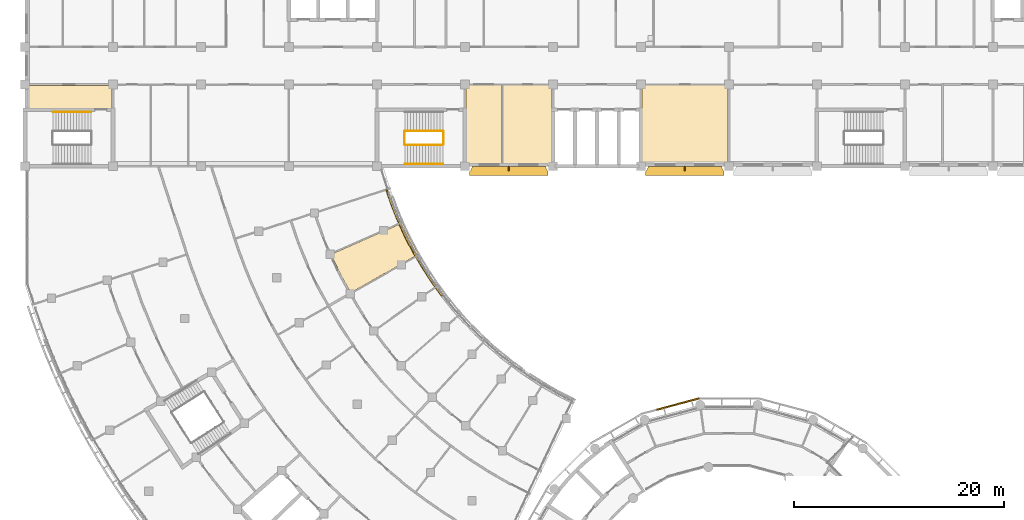
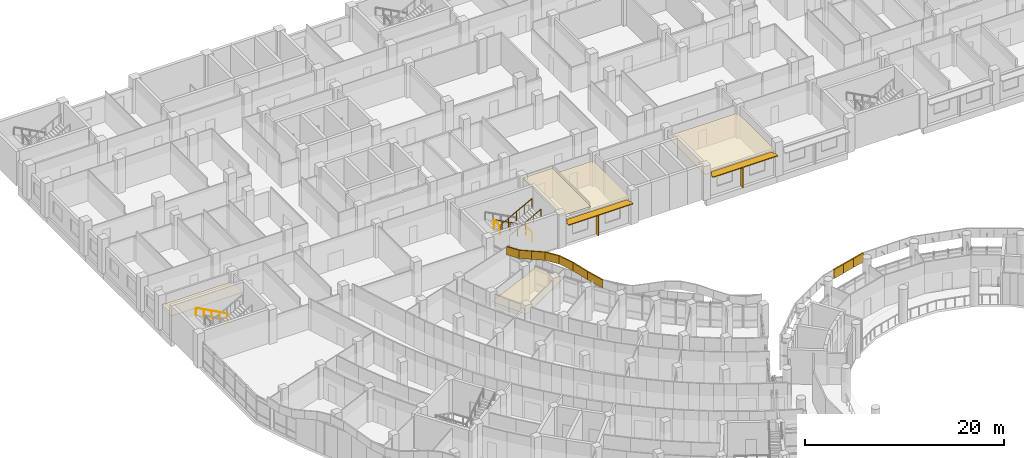
# One storey, part 100 of 109: 15 coverings, 6 railings, 4 shading devices.
"""IFC4 building model written with IfcOpenShell, lengths in metres."""

from ifc_helpers import new_model, si_unit, direction, frame, origin, origin_2d, place, context, subcontext, project, spatial, polyline, rectangle, circle, outline, extrude, material, layer, layer_set, material_profile, profile_set, type_object, element, save


model = new_model("IFC4")

# Units and contexts
model_context = context("Model", 3, precision=1e-05, world=origin(), true_north=direction((0.0, 1.0)))
body_context = subcontext(model_context, "Body", "Model", "MODEL_VIEW")
ifc_project = project(units=[si_unit("LENGTHUNIT", "METRE"), si_unit("AREAUNIT", "SQUARE_METRE"), si_unit("VOLUMEUNIT", "CUBIC_METRE"), si_unit("PLANEANGLEUNIT", "RADIAN"), si_unit("MASSUNIT", "GRAM", prefix="KILO")], contexts=[model_context])

# Site, building, storey
site_placement = place(None, origin())
site = spatial("IfcSite", under=ifc_project, at=site_placement, CompositionType="ELEMENT")
building_placement = place(site_placement, origin())
building = spatial("IfcBuilding", under=site, at=building_placement, Name="Bougainvillea Quay General Hospital", CompositionType="ELEMENT")
storey_placement = place(building_placement, frame((0.0, 0.0, 12.60009765625)))
storey = spatial("IfcBuildingStorey", under=building, at=storey_placement, Name="L02", CompositionType="ELEMENT", Elevation=12.60009765625)

# Coverings
ifc_material_1 = material(Name="Powder-coated aluminium fascia, white", Category="aluminium")
ifc_layer_1 = layer(ifc_material_1, 0.14990234375)
ifc_layer_set_1 = layer_set([ifc_layer_1], Name="Powder-coated aluminium fascia, white")
covering_type_1 = type_object("IfcCoveringType", Name="Aluminium fascia band white 150x1100", PredefinedType="CLADDING", material=ifc_layer_set_1)
covering_1_placement = place(storey_placement, frame((106.386474609375, 95.3701171875, 3.64990234375), z_axis=(0.0, 0.0, 1.0), x_axis=(-0.965902723626, -0.258905250026, 0.0)))
element("IfcCovering", 1, at=covering_1_placement, inside=storey, type_object=covering_type_1, Name="Fascia band white e1 27", PredefinedType="CLADDING", context=body_context, shape_type="SweptSolid", body=[
    extrude(outline(polyline([(0.0, 0.0), (1.4427484812010494, -1.1102230246251565e-16), (1.4427601315406933, -0.14988922115835282), (-0.019945216217249394, -0.14984782527068197), (0.0, 0.0)])), origin(), (0.0, 0.0, 1.0), 1.10009765625),
])
for number, where, z_axis, x_axis, name in (
    (2, (104.992919921875, 94.99658203125, 3.64990234375), (0.0, 0.0, 1.0), (-0.965917832393, -0.258848876884, 0.0), "Fascia band white e1 28"),
    (3, (103.669189453125, 94.641845703125, 3.64990234375), (0.0, 0.0, 1.0), (-0.965917832393, -0.258848876884, 0.0), "Fascia band white e1 29"),
):
    element("IfcCovering", number, at=place(storey_placement, frame(where, z_axis=z_axis, x_axis=x_axis)), inside=storey, type_object=covering_type_1, Name=name, PredefinedType="CLADDING", context=body_context, shape_type="SweptSolid", body=[
        extrude(outline(polyline([(0.0, 0.0), (1.3704379651734342, -5.551115123125783e-17), (1.3704583634542102, -0.1498892202231306), (2.039828077596978e-05, -0.14988922022313056), (0.0, 0.0)])), origin(), (0.0, 0.0, 1.0), 1.10009765625),
    ])
ifc_material_2 = material(Name="Powder-coated aluminium fascia, blue", Category="aluminium")
ifc_layer_2 = layer(ifc_material_2, 0.14990234375)
ifc_layer_set_2 = layer_set([ifc_layer_2], Name="Powder-coated aluminium fascia, blue")
covering_type_2 = type_object("IfcCoveringType", Name="Aluminium wave fascia ribbon blue 150x1000", PredefinedType="CLADDING", material=ifc_layer_set_2)
covering_2_placement = place(storey_placement, frame((81.860107421875, 105.287109375, 3.09423828125), z_axis=(0.183653057169, -0.255016849579, 0.949335536585), x_axis=(-0.555025616617, 0.770184740681, 0.314264267968)))
element("IfcCovering", 4, at=covering_2_placement, inside=storey, type_object=covering_type_2, Name="Fascia ribbon blue a11 11", PredefinedType="CLADDING", context=body_context, shape_type="SweptSolid", body=[
    extrude(outline(polyline([(0.0, 0.0), (1.7247307841035435, -3.529078071440317e-17), (1.7285675038174912, 0.14995005424449326), (-0.0037469013647892014, 0.15000855985817563), (0.0, 0.0)])), origin(), (0.314264267968, -9.4101974e-05, 0.949335536585), 1.0),
])
covering_3_placement = place(storey_placement, frame((80.90283203125, 106.615478515625, 3.637451171875), z_axis=(0.181670148123, -0.279283959055, 0.942866070816), x_axis=(-0.514117834442, 0.790366547752, 0.333171986372)))
element("IfcCovering", 5, at=covering_3_placement, inside=storey, type_object=covering_type_2, Name="Fascia ribbon blue a11 12", PredefinedType="CLADDING", context=body_context, shape_type="SweptSolid", body=[
    extrude(outline(polyline([(0.0, 0.0), (1.7366179833297002, 2.017971293538645e-17), (1.7403438359715682, 0.15003232823707713), (-0.003726882309509635, 0.14995282586362915), (0.0, 0.0)])), origin(), (0.333171986372, 1.143578e-06, 0.942866070816), 1.0),
])
covering_4_placement = place(storey_placement, frame((80.010009765625, 107.988037109375, 4.217041015625), z_axis=(0.084315394257, -0.145643109663, 0.985737794192), x_axis=(-0.497507055922, 0.850979570367, 0.168286957679)))
element("IfcCovering", 6, at=covering_4_placement, inside=storey, type_object=covering_type_2, Name="Fascia ribbon blue a11 13", PredefinedType="CLADDING", context=body_context, shape_type="SweptSolid", body=[
    extrude(outline(polyline([(0.0, 0.0), (1.661113687320958, -2.0930522939832663e-16), (1.6646301565670878, 0.1501106609532486), (-0.0037048515269207318, 0.15002967164766148), (0.0, 0.0)])), origin(), (0.168286957679, -0.000707796724, 0.985737794192), 1.0),
])
covering_5_placement = place(storey_placement, frame((79.18359375, 109.401611328125, 4.49658203125), z_axis=(-0.050233783004, 0.097976702211, 0.993920083744), x_axis=(-0.460077941588, 0.881025591225, -0.11010084137)))
element("IfcCovering", 7, at=covering_5_placement, inside=storey, type_object=covering_type_2, Name="Fascia ribbon blue a11 14", PredefinedType="CLADDING", context=body_context, shape_type="SweptSolid", body=[
    extrude(outline(polyline([(0.0, 0.0), (1.6471442798022051, 6.280241084122284e-17), (1.6508833397084792, 0.15008422778060926), (-0.0037216541243468484, 0.15010570735454873), (0.0, 0.0)])), origin(), (-0.11010084137, 0.000819671106, 0.993920083744), 1.0),
])
covering_6_placement = place(storey_placement, frame((78.42578125, 110.852783203125, 4.314453125), z_axis=(-0.130614571, 0.283040507255, 0.950172565956), x_axis=(-0.399120778908, 0.862282218901, -0.31172420312)))
element("IfcCovering", 8, at=covering_6_placement, inside=storey, type_object=covering_type_2, Name="Fascia ribbon blue a11 15", PredefinedType="CLADDING", context=body_context, shape_type="SweptSolid", body=[
    extrude(outline(polyline([(0.0, 0.0), (1.7231362464062916, 9.31871767251291e-17), (1.727107408249028, 0.14998113192261042), (-0.00364317196791447, 0.15009135398133572), (0.0, 0.0)])), origin(), (-0.31172420312, 0.000340725615, 0.950172565956), 1.0),
])
covering_7_placement = place(storey_placement, frame((77.738037109375, 112.338623046875, 3.776123046875), z_axis=(-0.126527102614, 0.309896225363, 0.942313759748), x_axis=(-0.354612538759, 0.873043810337, -0.33473041778)))
element("IfcCovering", 9, at=covering_7_placement, inside=storey, type_object=covering_type_2, Name="Fascia ribbon blue a11 16", PredefinedType="CLADDING", context=body_context, shape_type="SweptSolid", body=[
    extrude(outline(polyline([(0.0, 0.0), (1.7376621436556903, -1.2620113287731272e-16), (1.7414675737434822, 0.15009026875092688), (-0.003587614734153912, 0.14999075918187904), (0.0, 0.0)])), origin(), (-0.33473041778, -0.000570616549, 0.942313759748), 1.0),
])
covering_8_placement = place(storey_placement, frame((77.121826171875, 113.855712890625, 3.193603515625), z_axis=(-0.0583995247, 0.16450413074, 0.984646071685), x_axis=(-0.326506434861, 0.928935801687, -0.174561806643)))
element("IfcCovering", 10, at=covering_8_placement, inside=storey, type_object=covering_type_2, Name="Fascia ribbon blue a11 17", PredefinedType="CLADDING", context=body_context, shape_type="SweptSolid", body=[
    extrude(outline(polyline([(0.0, 0.0), (1.655501230633314, 6.261267546103788e-17), (1.6554696946653156, 0.1501049718360596), (-0.0036904121914381727, 0.15008680907599123), (0.0, 0.0)])), origin(), (-0.174561806643, -0.000537752048, 0.984646071685), 1.0),
])

# Railings
ifc_material_3 = material(Name="Stainless steel 304 balustrade", Category="steel")
railing_type_1 = type_object("IfcRailingType", Name="Stair guard 1100", PredefinedType="GUARDRAIL", material=ifc_material_3)
railing_1_placement = place(storey_placement, frame((81.89990234375, 120.949951171875, 0.14990234375)))
element("IfcRailing", 11, at=railing_1_placement, inside=storey, type_object=railing_type_1, Name="L02 ST-B2 stair guard 1", PredefinedType="GUARDRAIL", context=body_context, shape_type="SweptSolid", body=[
    extrude(circle(Radius=0.02392578125, at=origin_2d()), frame((0.0, 0.0, 1.076171875), z_axis=(-0.881479091078, 0.0, 0.472223053219), x_axis=(0.0, -1.0, 0.0)), (0.0, 0.0, 1.0), 4.12939453125),
    extrude(circle(Radius=0.02099609375, at=origin_2d()), origin(), (0.0, 0.0, 1.0), 1.052001953125),
    extrude(circle(Radius=0.02099609375, at=origin_2d()), frame((-0.909912109375, 0.0, 0.487548828125)), (0.0, 0.0, 1.0), 1.052001953125),
    extrude(circle(Radius=0.02099609375, at=origin_2d()), frame((-1.81982421875, 0.0, 0.97509765625)), (0.0, 0.0, 1.0), 1.052001953125),
    extrude(circle(Radius=0.02099609375, at=origin_2d()), frame((-2.72998046875, 0.0, 1.46240234375)), (0.0, 0.0, 1.0), 1.052001953125),
    extrude(circle(Radius=0.02099609375, at=origin_2d()), frame((-3.639892578125, 0.0, 1.949951171875)), (0.0, 0.0, 1.0), 1.052001953125),
])
railing_2_placement = place(storey_placement, frame((78.2099609375, 120.89990234375, 2.099853515625)))
element("IfcRailing", 12, at=railing_2_placement, inside=storey, type_object=railing_type_1, Name="L02 ST-B2 stair guard 2", PredefinedType="GUARDRAIL", context=body_context, shape_type="SweptSolid", body=[
    extrude(circle(Radius=0.02392578125, at=origin_2d()), frame((0.0, 0.0, 1.076171875), z_axis=(0.0, -1.0, 0.0), x_axis=(1.0, 0.0, 0.0)), (0.0, 0.0, 1.0), 1.199951171875),
    extrude(circle(Radius=0.02099609375, at=origin_2d()), origin(), (0.0, 0.0, 1.0), 1.052001953125),
    extrude(circle(Radius=0.02099609375, at=origin_2d()), frame((0.0, -1.199951171875, 0.0)), (0.0, 0.0, 1.0), 1.052001953125),
])
railing_3_placement = place(storey_placement, frame((78.260009765625, 119.64990234375, 2.25)))
element("IfcRailing", 13, at=railing_3_placement, inside=storey, type_object=railing_type_1, Name="L02 ST-B2 stair guard 3", PredefinedType="GUARDRAIL", context=body_context, shape_type="SweptSolid", body=[
    extrude(circle(Radius=0.02392578125, at=origin_2d()), frame((0.0, 0.0, 1.076171875), z_axis=(0.881479091078, 0.0, 0.472223053219), x_axis=(0.0, 1.0, 0.0)), (0.0, 0.0, 1.0), 4.12939453125),
    extrude(circle(Radius=0.02099609375, at=origin_2d()), origin(), (0.0, 0.0, 1.0), 1.052001953125),
    extrude(circle(Radius=0.02099609375, at=origin_2d()), frame((0.909912109375, 0.0, 0.487548828125)), (0.0, 0.0, 1.0), 1.052001953125),
    extrude(circle(Radius=0.02099609375, at=origin_2d()), frame((1.81982421875, 0.0, 0.97509765625)), (0.0, 0.0, 1.0), 1.052001953125),
    extrude(circle(Radius=0.02099609375, at=origin_2d()), frame((2.72998046875, 0.0, 1.46240234375)), (0.0, 0.0, 1.0), 1.052001953125),
    extrude(circle(Radius=0.02099609375, at=origin_2d()), frame((3.639892578125, 0.0, 1.949951171875)), (0.0, 0.0, 1.0), 1.052001953125),
])
railing_4_placement = place(storey_placement, frame((81.949951171875, 120.89990234375, 0.0)))
element("IfcRailing", 14, at=railing_4_placement, inside=storey, type_object=railing_type_1, Name="L02 ST-B2 stair guard 4", PredefinedType="GUARDRAIL", context=body_context, shape_type="SweptSolid", body=[
    extrude(circle(Radius=0.02392578125, at=origin_2d()), frame((0.0, 0.0, 1.076171875), z_axis=(0.0, -1.0, 0.0), x_axis=(1.0, 0.0, 0.0)), (0.0, 0.0, 1.0), 1.199951171875),
    extrude(circle(Radius=0.02099609375, at=origin_2d()), origin(), (0.0, 0.0, 1.0), 1.052001953125),
    extrude(circle(Radius=0.02099609375, at=origin_2d()), frame((0.0, -1.199951171875, 0.0)), (0.0, 0.0, 1.0), 1.052001953125),
])
ifc_material_4 = material(Name="Stainless steel 304 handrail", Category="steel")
railing_type_2 = type_object("IfcRailingType", Name="Stair handrail 900", PredefinedType="HANDRAIL", material=ifc_material_4)
railing_5_placement = place(storey_placement, frame((48.300048828125, 122.77490234375, 0.14990234375)))
element("IfcRailing", 15, at=railing_5_placement, inside=storey, type_object=railing_type_2, Name="L02 ST-B1 stair handrail 1", PredefinedType="HANDRAIL", context=body_context, shape_type="SweptSolid", body=[
    extrude(circle(Radius=0.02392578125, at=origin_2d()), frame((0.0, 0.0, 0.8759765625), z_axis=(-0.881492274372, 0.0, 0.472198443689), x_axis=(0.0, -1.0, 0.0)), (0.0, 0.0, 1.0), 4.12939453125),
    extrude(circle(Radius=0.02099609375, at=origin_2d()), origin(), (0.0, 0.0, 1.0), 0.851806640625),
    extrude(circle(Radius=0.02099609375, at=origin_2d()), frame((-0.91015625, 0.0, 0.487548828125)), (0.0, 0.0, 1.0), 0.851806640625),
    extrude(circle(Radius=0.02099609375, at=origin_2d()), frame((-1.820068359375, 0.0, 0.97509765625)), (0.0, 0.0, 1.0), 0.851806640625),
    extrude(circle(Radius=0.02099609375, at=origin_2d()), frame((-2.72998046875, 0.0, 1.46240234375)), (0.0, 0.0, 1.0), 0.851806640625),
    extrude(circle(Radius=0.02099609375, at=origin_2d()), frame((-3.64013671875, 0.0, 1.949951171875)), (0.0, 0.0, 1.0), 0.851806640625),
])
railing_6_placement = place(storey_placement, frame((78.260009765625, 117.824951171875, 2.25)))
element("IfcRailing", 16, at=railing_6_placement, inside=storey, type_object=railing_type_2, Name="L02 ST-B2 stair handrail 2", PredefinedType="HANDRAIL", context=body_context, shape_type="SweptSolid", body=[
    extrude(circle(Radius=0.02392578125, at=origin_2d()), frame((0.0, 0.0, 0.8759765625), z_axis=(0.881479091078, 0.0, 0.472223053219), x_axis=(0.0, 1.0, 0.0)), (0.0, 0.0, 1.0), 4.12939453125),
    extrude(circle(Radius=0.02099609375, at=origin_2d()), origin(), (0.0, 0.0, 1.0), 0.851806640625),
    extrude(circle(Radius=0.02099609375, at=origin_2d()), frame((0.909912109375, 0.0, 0.487548828125)), (0.0, 0.0, 1.0), 0.851806640625),
    extrude(circle(Radius=0.02099609375, at=origin_2d()), frame((1.81982421875, 0.0, 0.97509765625)), (0.0, 0.0, 1.0), 0.851806640625),
    extrude(circle(Radius=0.02099609375, at=origin_2d()), frame((2.72998046875, 0.0, 1.46240234375)), (0.0, 0.0, 1.0), 0.851806640625),
    extrude(circle(Radius=0.02099609375, at=origin_2d()), frame((3.639892578125, 0.0, 1.949951171875)), (0.0, 0.0, 1.0), 0.851806640625),
])

# Shading devices
ifc_material_5 = material(Name="Powder-coated aluminium canopy soffit and fascia, white", Category="aluminium")
ifc_layer_3 = layer(ifc_material_5, 0.10009765625)
ifc_layer_set_3 = layer_set([ifc_layer_3], Name="Powder-coated aluminium canopy soffit and fascia, white")
shading_device_type_1 = type_object("IfcShadingDeviceType", Name="Sunshade 100", PredefinedType="USERDEFINED", material=ifc_layer_set_3)
shading_device_1_placement = place(storey_placement, frame((0.0, 0.0, 2.849853515625)))
element("IfcShadingDevice", 17, at=shading_device_1_placement, inside=storey, type_object=shading_device_type_1, Name="Sunshade 0", ObjectType="Sunshade", PredefinedType="USERDEFINED", context=body_context, shape_type="SweptSolid", body=[
    extrude(outline(polyline([(91.72509765625, 117.60009765625), (84.675048828125, 117.60009765625), (84.662109375, 117.46826171875), (84.62353515625, 117.341796875), (84.561279296875, 117.22509765625), (84.521728515625, 117.171875), (84.449951171875, 117.097900390625), (84.449951171875, 116.699951171875), (91.949951171875, 116.699951171875), (91.949951171875, 117.097900390625), (91.878173828125, 117.171875), (91.8388671875, 117.22509765625), (91.7763671875, 117.341796875), (91.738037109375, 117.46826171875), (91.72509765625, 117.60009765625)])), origin(), (0.0, 0.0, 1.0), 0.10009765625),
])
shading_device_2_placement = place(storey_placement, frame((0.0, 0.0, 2.849853515625)))
element("IfcShadingDevice", 18, at=shading_device_2_placement, inside=storey, type_object=shading_device_type_1, Name="Sunshade 0", ObjectType="Sunshade", PredefinedType="USERDEFINED", context=body_context, shape_type="SweptSolid", body=[
    extrude(outline(polyline([(108.52490234375, 117.60009765625), (101.47509765625, 117.60009765625), (101.4619140625, 117.46826171875), (101.423583984375, 117.341796875), (101.361328125, 117.22509765625), (101.32177734375, 117.171875), (101.25, 117.097900390625), (101.25, 116.699951171875), (108.75, 116.699951171875), (108.75, 117.097900390625), (108.67822265625, 117.171875), (108.638671875, 117.22509765625), (108.576416015625, 117.341796875), (108.5380859375, 117.46826171875), (108.52490234375, 117.60009765625)])), origin(), (0.0, 0.0, 1.0), 0.10009765625),
])

# Coverings
ifc_material_6 = material(Name="Mineral fibre ceiling tile")
ifc_layer_4 = layer(ifc_material_6, 0.030029296875)
ifc_layer_set_4 = layer_set([ifc_layer_4], Name="Mineral fibre ceiling tile")
covering_type_3 = type_object("IfcCoveringType", Name="Suspended ceiling mineral fibre tile", PredefinedType="CEILING", material=ifc_layer_set_4)
covering_9_placement = place(storey_placement, frame((0.0, 0.0, 2.699951171875)))
element("IfcCovering", 19, at=covering_9_placement, inside=storey, type_object=covering_type_3, Name="Ceiling Smoke-proof Stair Vestibule ST-B1", PredefinedType="CEILING", context=body_context, shape_type="SweptSolid", body=[
    extrude(outline(polyline([(42.0, 123.10009765625), (50.300048828125, 123.10009765625), (50.300048828125, 125.300048828125), (42.0, 125.300048828125), (42.0, 123.10009765625)])), origin(), (0.0, 0.0, 1.0), 0.030029296875),
])
covering_10_placement = place(storey_placement, frame((0.0, 0.0, 3.5498046875)))
element("IfcCovering", 20, at=covering_10_placement, inside=storey, type_object=covering_type_3, Name="Ceiling Lecture Theatre", PredefinedType="CEILING", context=body_context, shape_type="SweptSolid", body=[
    extrude(outline(polyline([(87.548095703125, 117.597900390625), (87.548095703125, 125.35009765625), (84.10009765625, 125.35009765625), (84.10009765625, 122.89990234375), (84.050048828125, 122.89990234375), (84.050048828125, 117.597900390625), (87.548095703125, 117.597900390625)])), origin(), (0.0, 0.0, 1.0), 0.030029296875),
])
covering_11_placement = place(storey_placement, frame((0.0, 0.0, 2.7998046875)))
element("IfcCovering", 21, at=covering_11_placement, inside=storey, type_object=covering_type_3, Name="Ceiling Seminar Room 01", PredefinedType="CEILING", context=body_context, shape_type="SweptSolid", body=[
    extrude(outline(polyline([(87.64794921875, 125.35009765625), (87.64794921875, 117.64794921875), (92.347900390625, 117.64794921875), (92.347900390625, 122.89990234375), (92.300048828125, 122.89990234375), (92.300048828125, 125.35009765625), (87.64794921875, 125.35009765625)])), origin(), (0.0, 0.0, 1.0), 0.030029296875),
])
covering_12_placement = place(storey_placement, frame((0.0, 0.0, 2.7998046875)))
element("IfcCovering", 22, at=covering_12_placement, inside=storey, type_object=covering_type_3, Name="Ceiling Simulation Training Room", PredefinedType="CEILING", context=body_context, shape_type="SweptSolid", body=[
    extrude(outline(polyline([(100.798095703125, 117.597900390625), (109.097900390625, 117.597900390625), (109.097900390625, 125.35009765625), (100.89990234375, 125.35009765625), (100.89990234375, 122.89990234375), (100.85009765625, 122.89990234375), (100.85009765625, 117.60009765625), (100.798095703125, 117.60009765625), (100.798095703125, 117.597900390625)])), origin(), (0.0, 0.0, 1.0), 0.030029296875),
])
covering_13_placement = place(storey_placement, frame((0.0, 0.0, 2.699951171875)))
element("IfcCovering", 23, at=covering_13_placement, inside=storey, type_object=covering_type_3, Name="Ceiling Clinical Trials Consulting Room 02W211", PredefinedType="CEILING", context=body_context, shape_type="SweptSolid", body=[
    extrude(outline(polyline([(72.10986328125, 107.328125), (73.09619140625, 105.52490234375), (79.577880859375, 109.21142578125), (78.954833984375, 110.36767578125), (78.953369140625, 110.366943359375), (78.908203125, 110.454345703125), (78.90966796875, 110.455078125), (78.4296875, 111.42041015625), (78.42822265625, 111.419677734375), (78.385986328125, 111.508544921875), (78.387451171875, 111.50927734375), (78.070068359375, 112.205322265625), (71.23193359375, 109.18701171875), (72.10986328125, 107.328125)])), origin(), (0.0, 0.0, 1.0), 0.030029296875),
])

# Shading devices
ifc_material_7 = material(Name="Powder-coated aluminium fin, white", Category="aluminium")
ifc_material_profile = material_profile(ifc_material_7, rectangle(XDim=0.449951171875, YDim=0.10009765625, at=origin_2d()))
ifc_profile_set = profile_set([ifc_material_profile], Name="Powder-coated aluminium fin, white")
shading_device_type_2 = type_object("IfcShadingDeviceType", Name="Vertical fin 450x100", PredefinedType="USERDEFINED", material=ifc_profile_set)
for number, where, z_axis, x_axis, name in (
    (24, (88.199951171875, 117.375, 0.0), (0.0, 0.0, 1.0), (0.0, -1.0, 0.0), "Vertical fin 00a 1"),
    (25, (105.0, 117.375, 0.0), (0.0, 0.0, 1.0), (0.0, -1.0, 0.0), "Vertical fin 04a 1"),
):
    element("IfcShadingDevice", number, at=place(storey_placement, frame(where, z_axis=z_axis, x_axis=x_axis)), inside=storey, type_object=shading_device_type_2, Name=name, ObjectType="Vertical fin", PredefinedType="USERDEFINED", context=body_context, shape_type="SweptSolid", body=[
        extrude(rectangle(XDim=0.449951171875, YDim=0.10009765625, at=origin_2d()), origin(), (0.0, 0.0, 1.0), 2.849853515625),
    ])

save(model, "model.ifc")
